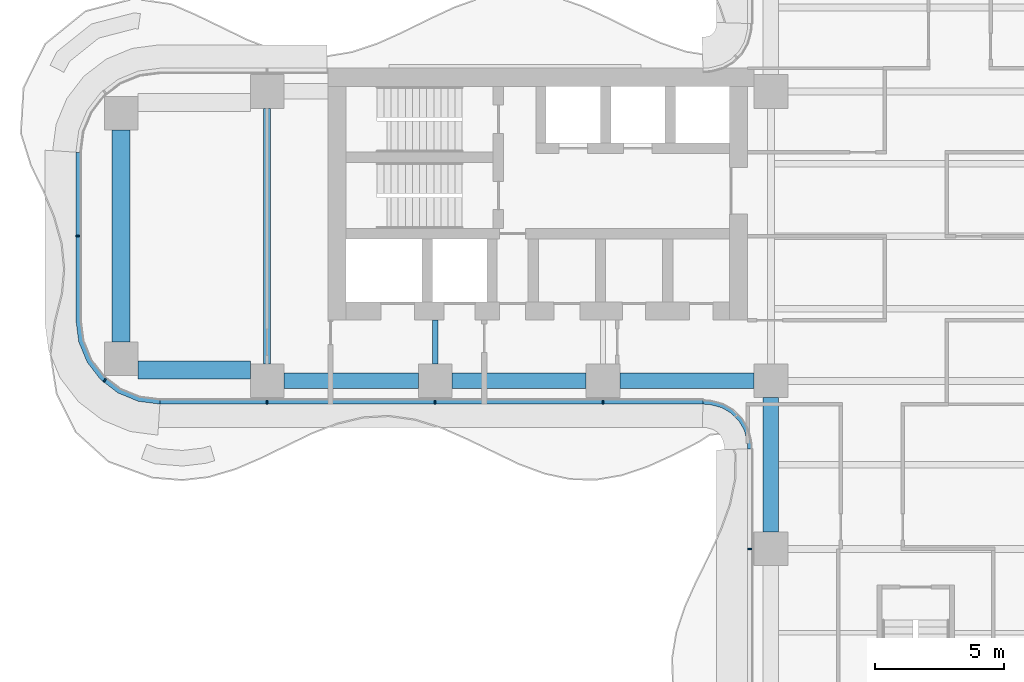
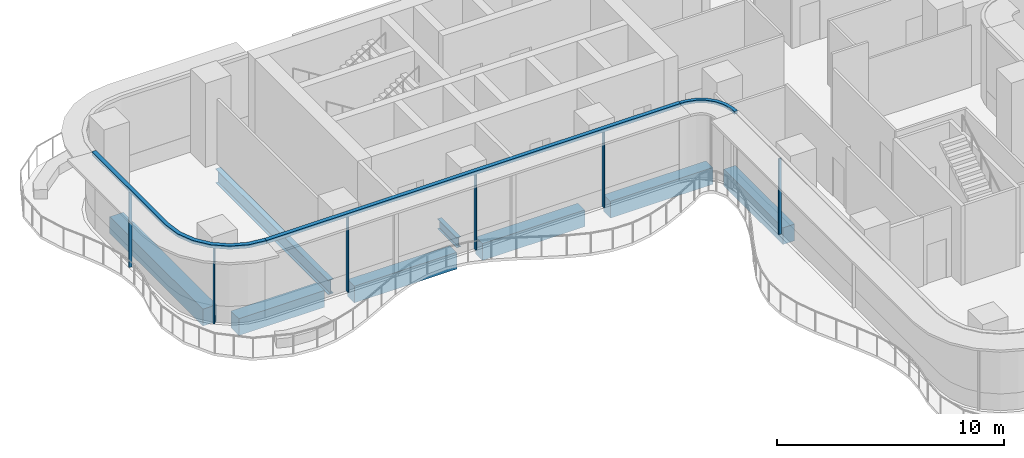
# One storey, part 3 of 21: 9 members, 8 beams, 4 elements without a shape of their own.
"""IFC4 building model written with IfcOpenShell, lengths in metres."""

from ifc_helpers import new_model, si_unit, direction, frame, origin, origin_2d, place, context, subcontext, project, spatial, polyline, rectangle, i_section, outline, extrude, source, transform, mapped, material, layer, layer_set, material_profile, profile_set, type_object, element, aggregate, save


model = new_model("IFC4")

# Units and contexts
model_context = context("Model", 3, precision=1e-05, world=origin(), true_north=direction((0.0, 1.0)))
body_context = subcontext(model_context, "Body", "Model", "MODEL_VIEW")
ifc_project = project(units=[si_unit("LENGTHUNIT", "METRE"), si_unit("AREAUNIT", "SQUARE_METRE"), si_unit("VOLUMEUNIT", "CUBIC_METRE"), si_unit("PLANEANGLEUNIT", "RADIAN"), si_unit("MASSUNIT", "GRAM", prefix="KILO")], contexts=[model_context])

# Site, building, storey
site_placement = place(None, origin())
site = spatial("IfcSite", under=ifc_project, at=site_placement, CompositionType="ELEMENT")
building_placement = place(site_placement, origin())
building = spatial("IfcBuilding", under=site, at=building_placement, Name="Trellis Farm Tower", CompositionType="ELEMENT")
storey_placement = place(building_placement, frame((0.0, 0.0, 102.0)))
storey = spatial("IfcBuildingStorey", under=building, at=storey_placement, Name="L21", CompositionType="ELEMENT", Elevation=102.0)

# Beams
ifc_material_1 = material(Name="Steel S355", Category="steel")
ifc_material_profile_1 = material_profile(ifc_material_1, i_section(OverallWidth=0.2666015625, OverallDepth=0.76220703125, WebThickness=0.014404296875, FlangeThickness=0.021484375, FilletRadius=0.0166015625, at=origin_2d()), Name="UB 762x267x173")
ifc_profile_set_1 = profile_set([ifc_material_profile_1], Name="Steel S355")
beam_type_1 = type_object("IfcBeamType", Name="UB 762x267x173", PredefinedType="BEAM", material=ifc_profile_set_1)
shared_shape_1 = source(origin(), body_context, "Body", "SweptSolid", [
    extrude(i_section(OverallWidth=0.2666015625, OverallDepth=0.76220703125, WebThickness=0.014404296875, FlangeThickness=0.021484375, FilletRadius=0.0166015625, at=origin_2d()), origin(), (0.0, 0.0, 1.0), 9.89990234375),
])
beam_1_placement = place(storey_placement, frame((-25.10009765625, -4.949951171875, -0.631103515625), z_axis=(0.0, 1.0, 0.0), x_axis=(-1.0, 0.0, 0.0)))
element("IfcBeam", 1, at=beam_1_placement, inside=storey, type_object=beam_type_1, Name="Girder", PredefinedType="BEAM", context=body_context, shape_type="MappedRepresentation", body=[
    mapped(shared_shape_1, transform((0.0, 0.0, 0.0))),
])
ifc_material_profile_2 = material_profile(ifc_material_1, i_section(OverallWidth=0.209228515625, OverallDepth=0.533203125, WebThickness=0.010009765625, FlangeThickness=0.015625, FilletRadius=0.0126953125, at=origin_2d()), Name="UB 533x210x92")
ifc_profile_set_2 = profile_set([ifc_material_profile_2], Name="Steel S355")
beam_type_2 = type_object("IfcBeamType", Name="UB 533x210x92", PredefinedType="BEAM", material=ifc_profile_set_2)
shared_shape_2 = source(origin(), body_context, "Body", "SweptSolid", [
    extrude(i_section(OverallWidth=0.209228515625, OverallDepth=0.533203125, WebThickness=0.010009765625, FlangeThickness=0.015625, FilletRadius=0.0126953125, at=origin_2d()), origin(), (0.0, 0.0, 1.0), 1.699951171875),
])
beam_2_placement = place(storey_placement, frame((-18.60009765625, -4.949951171875, -0.5166015625), z_axis=(0.0, 1.0, 0.0), x_axis=(-1.0, 0.0, 0.0)))
element("IfcBeam", 2, at=beam_2_placement, inside=storey, type_object=beam_type_2, Name="Girder", PredefinedType="BEAM", context=body_context, shape_type="MappedRepresentation", body=[
    mapped(shared_shape_2, transform((0.0, 0.0, 0.0))),
])
ifc_material_2 = material(Name="Concrete C60/75", Category="concrete")
ifc_material_profile_3 = material_profile(ifc_material_2, rectangle(XDim=0.60009765625, YDim=0.89990234375, at=origin_2d()), Name="RC spandrel beam 600x900 C60/75")
ifc_profile_set_3 = profile_set([ifc_material_profile_3], Name="Concrete C60/75")
beam_type_3 = type_object("IfcBeamType", Name="RC spandrel beam 600x900 C60/75", PredefinedType="SPANDREL", material=ifc_profile_set_3)
shared_shape_3 = source(origin(), body_context, "Body", "SweptSolid", [
    extrude(rectangle(XDim=0.60009765625, YDim=0.89990234375, at=origin_2d()), origin(), (0.0, 0.0, 1.0), 5.199951171875),
])
for number, where, z_axis, x_axis, name in (
    (3, (-24.449951171875, -5.60009765625, -0.699951171875), (1.0, 0.0, 0.0), (0.0, 1.0, 0.0), "Girder"),
    (4, (-17.949951171875, -5.60009765625, -0.699951171875), (1.0, 0.0, 0.0), (0.0, 1.0, 0.0), "Girder"),
    (5, (-11.449951171875, -5.60009765625, -0.699951171875), (1.0, 0.0, 0.0), (0.0, 1.0, 0.0), "Girder"),
    (6, (-5.60009765625, -11.449951171875, -0.699951171875), (0.0, 1.0, 0.0), (-1.0, 0.0, 0.0), "Girder"),
):
    element("IfcBeam", number, at=place(storey_placement, frame(where, z_axis=z_axis, x_axis=x_axis)), inside=storey, type_object=beam_type_3, Name=name, PredefinedType="SPANDREL", context=body_context, shape_type="MappedRepresentation", body=[
        mapped(shared_shape_3, transform((0.0, 0.0, 0.0))),
    ])
ifc_material_profile_4 = material_profile(ifc_material_2, rectangle(XDim=0.699951171875, YDim=0.89990234375, at=origin_2d()), Name="RC spandrel beam 700x900 C60/75")
ifc_profile_set_4 = profile_set([ifc_material_profile_4], Name="Concrete C60/75")
beam_type_4 = type_object("IfcBeamType", Name="RC spandrel beam 700x900 C60/75", PredefinedType="SPANDREL", material=ifc_profile_set_4)
shared_shape_4 = source(origin(), body_context, "Body", "SweptSolid", [
    extrude(rectangle(XDim=0.699951171875, YDim=0.89990234375, at=origin_2d()), origin(), (0.0, 0.0, 1.0), 4.35009765625),
])
beam_3_placement = place(storey_placement, frame((-30.10009765625, -5.175048828125, -0.699951171875), z_axis=(1.0, 0.0, 0.0), x_axis=(0.0, 1.0, 0.0)))
element("IfcBeam", 7, at=beam_3_placement, inside=storey, type_object=beam_type_4, Name="Girder", PredefinedType="SPANDREL", context=body_context, shape_type="MappedRepresentation", body=[
    mapped(shared_shape_4, transform((0.0, 0.0, 0.0))),
])
shared_shape_5 = source(origin(), body_context, "Body", "SweptSolid", [
    extrude(rectangle(XDim=0.699951171875, YDim=0.89990234375, at=origin_2d()), origin(), (0.0, 0.0, 1.0), 8.2001953125),
])
beam_4_placement = place(storey_placement, frame((-30.75, -4.10009765625, -0.699951171875), z_axis=(0.0, 1.0, 0.0), x_axis=(-1.0, 0.0, 0.0)))
element("IfcBeam", 8, at=beam_4_placement, inside=storey, type_object=beam_type_4, Name="Girder", PredefinedType="SPANDREL", context=body_context, shape_type="MappedRepresentation", body=[
    mapped(shared_shape_5, transform((0.0, 0.0, 0.0))),
])

# Curtain wall, members
ifc_material_3 = material(Name="Aluminium and glass curtain wall", Category="aluminium")
ifc_layer_1 = layer(ifc_material_3, 0.18994140625)
ifc_layer_set_1 = layer_set([ifc_layer_1], Name="RIBBON CURTAIN WALL CW1")
curtain_wall_type_1 = type_object("IfcCurtainWallType", Name="RIBBON CURTAIN WALL CW1", PredefinedType="NOTDEFINED", material=ifc_layer_set_1)
placement_1 = place(storey_placement, origin())
curtain_wall_1 = element("IfcCurtainWall", 9, at=placement_1, inside=storey, type_object=curtain_wall_type_1, Name="CW1 001", PredefinedType="NOTDEFINED")
ifc_material_4 = material(Name="Aluminium extrusion 6063-T6", Category="aluminium")
ifc_material_profile_5 = material_profile(ifc_material_4, rectangle(XDim=0.06005859375, YDim=0.14990234375, at=origin_2d()), Name="MULLION 60x150")
ifc_profile_set_5 = profile_set([ifc_material_profile_5], Name="Aluminium extrusion 6063-T6")
member_type_1 = type_object("IfcMemberType", Name="CW1 MULLION 60x150", PredefinedType="MULLION", material=ifc_profile_set_5)
shared_shape_6 = source(origin(), body_context, "Body", "SweptSolid", [
    extrude(rectangle(XDim=0.06005859375, YDim=0.14990234375, at=origin_2d()), origin(), (0.0, 0.0, 1.0), 4.070068359375),
])
member_1_placement = place(storey_placement, frame((-25.10009765625, -6.425048828125, 0.0), z_axis=(0.0, 0.0, 1.0), x_axis=(1.0, 0.0, 0.0)))
member_1 = element("IfcMember", 10, at=member_1_placement, type_object=member_type_1, Name="MU1 001-01", PredefinedType="MULLION", context=body_context, shape_type="MappedRepresentation", body=[
    mapped(shared_shape_6, transform((0.0, 0.0, 0.0))),
])
member_2_placement = place(storey_placement, frame((-18.60009765625, -6.425048828125, 0.0), z_axis=(0.0, 0.0, 1.0), x_axis=(1.0, 0.0, 0.0)))
member_2 = element("IfcMember", 11, at=member_2_placement, type_object=member_type_1, Name="MU1 001-02", PredefinedType="MULLION", context=body_context, shape_type="MappedRepresentation", body=[
    mapped(shared_shape_6, transform((0.0, 0.0, 0.0))),
])
member_3_placement = place(storey_placement, frame((-12.10009765625, -6.425048828125, 0.0), z_axis=(0.0, 0.0, 1.0), x_axis=(1.0, 0.0, 0.0)))
member_3 = element("IfcMember", 12, at=member_3_placement, type_object=member_type_1, Name="MU1 001-03", PredefinedType="MULLION", context=body_context, shape_type="MappedRepresentation", body=[
    mapped(shared_shape_6, transform((0.0, 0.0, 0.0))),
])

# Curtain wall, member
curtain_wall_2 = element("IfcCurtainWall", 13, at=placement_1, inside=storey, type_object=curtain_wall_type_1, Name="CW1 002", PredefinedType="NOTDEFINED")
member_4_placement = place(storey_placement, frame((-6.425048828125, -12.10009765625, 0.0), z_axis=(0.0, 0.0, 1.0), x_axis=(0.0, -1.0, 0.0)))
member_4 = element("IfcMember", 14, at=member_4_placement, type_object=member_type_1, Name="MU1 002-01", PredefinedType="MULLION", context=body_context, shape_type="MappedRepresentation", body=[
    mapped(shared_shape_6, transform((0.0, 0.0, 0.0))),
])
aggregate(curtain_wall_2, [member_4])

# Curtain wall, members
curtain_wall_3 = element("IfcCurtainWall", 15, at=placement_1, inside=storey, type_object=curtain_wall_type_1, Name="CW1 013", PredefinedType="NOTDEFINED")
member_5_placement = place(storey_placement, frame((-32.425048828125, 0.0, 0.0), z_axis=(0.0, 0.0, 1.0), x_axis=(0.0, -1.0, 0.0)))
member_5 = element("IfcMember", 16, at=member_5_placement, type_object=member_type_1, Name="MU1 013-01", PredefinedType="MULLION", context=body_context, shape_type="MappedRepresentation", body=[
    mapped(shared_shape_6, transform((0.0, 0.0, 0.0))),
])
member_6_placement = place(storey_placement, frame((-31.385498046875, -5.578369140625, 0.0), z_axis=(0.0, 0.0, 1.0), x_axis=(0.793353340291, -0.608761429009, 0.0)))
member_6 = element("IfcMember", 17, at=member_6_placement, type_object=member_type_1, Name="MU1 013-02", PredefinedType="MULLION", context=body_context, shape_type="MappedRepresentation", body=[
    mapped(shared_shape_6, transform((0.0, 0.0, 0.0))),
])

# Member
ifc_layer_2 = layer(ifc_material_4, 0.199951171875)
ifc_layer_set_2 = layer_set([ifc_layer_2], Name="Aluminium extrusion 6063-T6")
member_type_2 = type_object("IfcMemberType", Name="CW1 TRANSOM 200x180", PredefinedType="USERDEFINED", material=ifc_layer_set_2)
shared_shape_7 = source(origin(), body_context, "Body", "SweptSolid", [
    extrude(outline(polyline([(-29.25, -6.5), (-8.2314453125, -6.5), (-8.224853515625, -6.300048828125), (-29.23681640625, -6.300048828125), (-29.25, -6.5)])), origin(), (0.0, 0.0, 1.0), 0.179931640625),
])
placement_2 = place(storey_placement, frame((0.0, 0.0, 4.070068359375)))
member_7 = element("IfcMember", 18, at=placement_2, type_object=member_type_2, Name="TR1 001", ObjectType="TRANSOM", PredefinedType="USERDEFINED", context=body_context, shape_type="MappedRepresentation", body=[
    mapped(shared_shape_7, transform((0.0, 0.0, 0.0))),
])

aggregate(curtain_wall_1, [member_1, member_2, member_3, member_7])

# Curtain wall, member
ifc_layer_3 = layer(ifc_material_3, 0.166015625)
ifc_layer_set_3 = layer_set([ifc_layer_3], Name="WINTER GARDEN CURTAIN WALL CW3")
curtain_wall_type_2 = type_object("IfcCurtainWallType", Name="WINTER GARDEN CURTAIN WALL CW3", PredefinedType="NOTDEFINED", material=ifc_layer_set_3)
curtain_wall_4 = element("IfcCurtainWall", 19, at=placement_1, inside=storey, type_object=curtain_wall_type_2, Name="CW3 001", PredefinedType="NOTDEFINED")
ifc_layer_4 = layer(ifc_material_4, 0.169921875)
ifc_layer_set_4 = layer_set([ifc_layer_4], Name="Aluminium extrusion 6063-T6")
member_type_3 = type_object("IfcMemberType", Name="CW3 TRANSOM 170x150", PredefinedType="USERDEFINED", material=ifc_layer_set_4)
shared_shape_8 = source(origin(), body_context, "Body", "SweptSolid", [
    extrude(outline(polyline([(-8.2314453125, -6.5), (-8.01953125, -6.513916015625), (-7.91552734375, -6.527587890625), (-7.508544921875, -6.63671875), (-7.144287109375, -6.846923828125), (-6.846923828125, -7.144287109375), (-6.63671875, -7.508544921875), (-6.527587890625, -7.91552734375), (-6.513916015625, -8.01953125), (-6.5, -8.2314453125), (-6.330078125, -8.225830078125), (-6.3447265625, -8.0029296875), (-6.360595703125, -7.88232421875), (-6.478271484375, -7.44287109375), (-6.7109375, -7.0400390625), (-7.0400390625, -6.7109375), (-7.44287109375, -6.478271484375), (-7.88232421875, -6.360595703125), (-8.0029296875, -6.3447265625), (-8.225830078125, -6.330078125), (-8.2314453125, -6.5)])), origin(), (0.0, 0.0, 1.0), 0.14990234375),
])
member_8_placement = place(storey_placement, frame((0.0, 0.0, 4.10009765625)))
member_8 = element("IfcMember", 20, at=member_8_placement, type_object=member_type_3, Name="TR3 001", ObjectType="TRANSOM", PredefinedType="USERDEFINED", context=body_context, shape_type="MappedRepresentation", body=[
    mapped(shared_shape_8, transform((0.0, 0.0, 0.0))),
])
aggregate(curtain_wall_4, [member_8])

# Member
shared_shape_9 = source(origin(), body_context, "Body", "SweptSolid", [
    extrude(outline(polyline([(-32.5, 3.25), (-32.5, -3.25), (-32.38916015625, -4.091064453125), (-32.064697265625, -4.875), (-31.548095703125, -5.548095703125), (-30.875, -6.064697265625), (-30.091064453125, -6.38916015625), (-29.25, -6.5), (-29.23681640625, -6.300048828125), (-30.0390625, -6.1943359375), (-30.774169921875, -5.889892578125), (-31.405517578125, -5.405517578125), (-31.889892578125, -4.774169921875), (-32.1943359375, -4.0390625), (-32.300048828125, -3.23681640625), (-32.300048828125, 3.23681640625), (-32.5, 3.25)])), origin(), (0.0, 0.0, 1.0), 0.179931640625),
])
member_9 = element("IfcMember", 21, at=placement_2, type_object=member_type_2, Name="TR1 013", ObjectType="TRANSOM", PredefinedType="USERDEFINED", context=body_context, shape_type="MappedRepresentation", body=[
    mapped(shared_shape_9, transform((0.0, 0.0, 0.0))),
])

aggregate(curtain_wall_3, [member_5, member_6, member_9])

save(model, "model.ifc")
